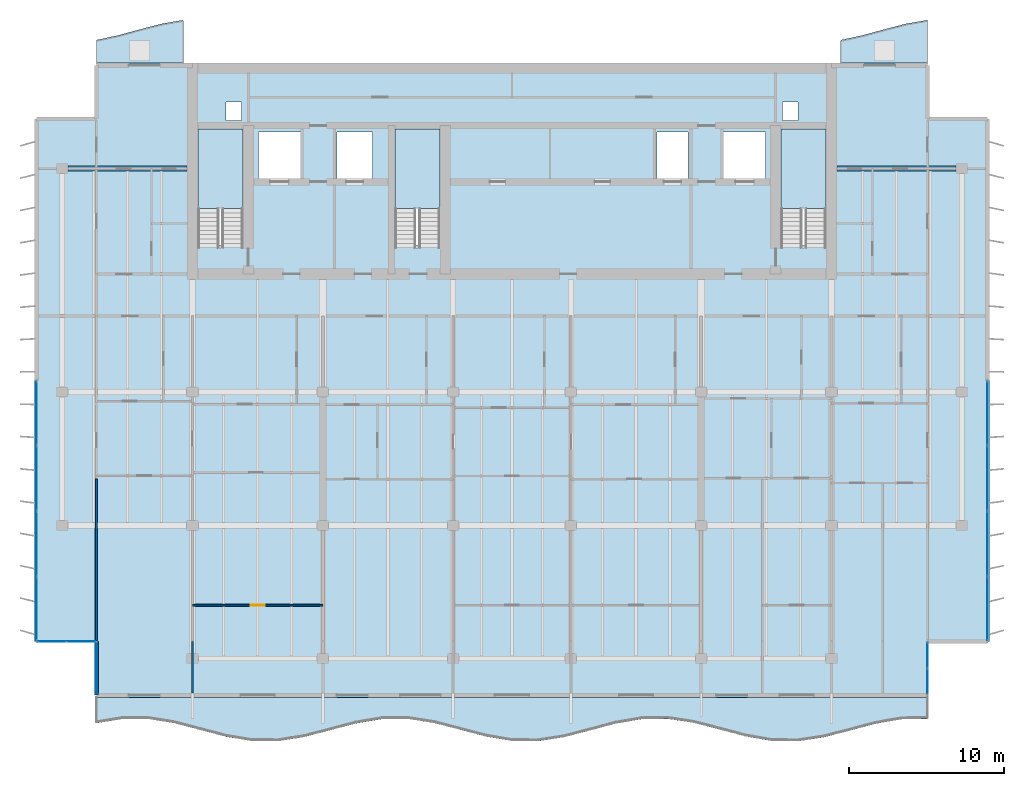
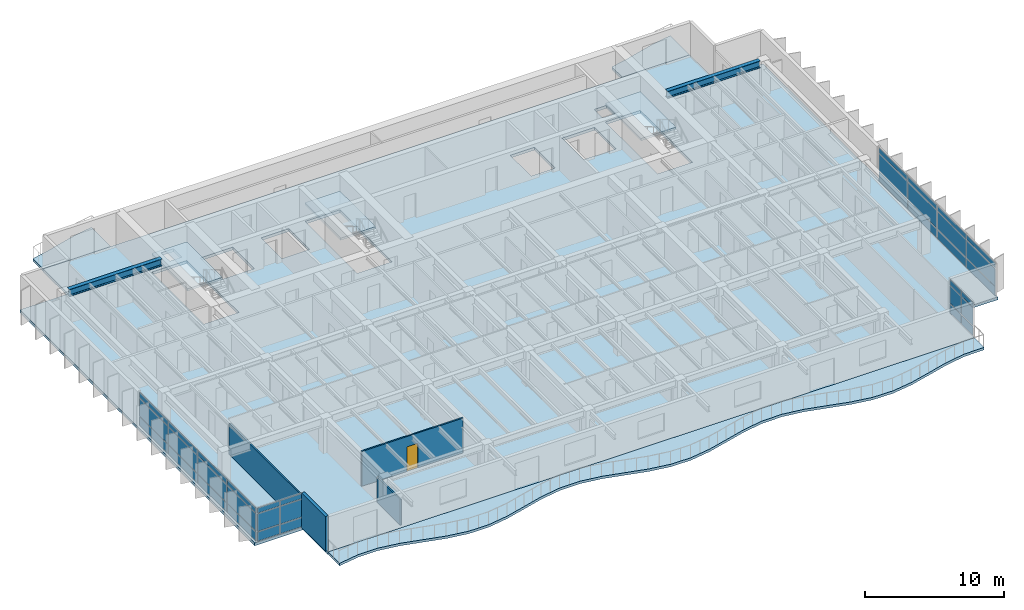
# One storey, part 5 of 17: 36 plates, 7 slabs, 4 walls, 2 beams, 1 door, 1 opening, 7 elements without a shape of their own.
"""IFC4 building model written with IfcOpenShell, lengths in metres."""

from ifc_helpers import new_model, si_unit, direction, frame, frame_2d, origin, origin_2d, place, context, subcontext, project, spatial, polyline, rectangle, i_section, outline, extrude, material, layer, layer_set, material_profile, profile_set, type_object, element, fill, aggregate, save


model = new_model("IFC4")

# Units and contexts
model_context = context("Model", 3, precision=1e-05, world=origin(), true_north=direction((0.0, 1.0)))
body_context = subcontext(model_context, "Body", "Model", "MODEL_VIEW")
ifc_project = project(units=[si_unit("LENGTHUNIT", "METRE"), si_unit("AREAUNIT", "SQUARE_METRE"), si_unit("VOLUMEUNIT", "CUBIC_METRE"), si_unit("PLANEANGLEUNIT", "RADIAN"), si_unit("MASSUNIT", "GRAM", prefix="KILO")], contexts=[model_context])

# Site, building, storey
site_placement = place(None, origin())
site = spatial("IfcSite", under=ifc_project, at=site_placement, CompositionType="ELEMENT")
building_placement = place(site_placement, origin())
building = spatial("IfcBuilding", under=site, at=building_placement, Name="Caelmar Bay Residences", CompositionType="ELEMENT")
storey_placement = place(building_placement, frame((0.0, 0.0, 259.5)))
storey = spatial("IfcBuildingStorey", under=building, at=storey_placement, Name="L73", CompositionType="ELEMENT", Elevation=259.5)

# Beams
ifc_material_1 = material(Name="Steel ASTM A992 Grade 50", Category="steel")
ifc_material_profile = material_profile(ifc_material_1, i_section(OverallWidth=0.324951171875, OverallDepth=0.616943359375, WebThickness=0.013916015625, FlangeThickness=0.021484375, FilletRadius=0.0126953125, at=origin_2d()), Name="W24X117")
ifc_profile_set = profile_set([ifc_material_profile], Name="Steel ASTM A992 Grade 50")
beam_type = type_object("IfcBeamType", Name="BM-SPN-W24X117", PredefinedType="SPANDREL", material=ifc_profile_set)
beam_1_placement = place(storey_placement, frame((10.264892578125, 43.800048828125, 2.741455078125), z_axis=(1.0, 0.0, 0.0), x_axis=(0.0, 1.0, 0.0)))
element("IfcBeam", 1, at=beam_1_placement, inside=storey, type_object=beam_type, Name="L73 North-West Wing Core Tie Girder", PredefinedType="SPANDREL", context=body_context, shape_type="SweptSolid", body=[
    extrude(i_section(OverallWidth=0.324951171875, OverallDepth=0.616943359375, WebThickness=0.013916015625, FlangeThickness=0.021484375, FilletRadius=0.0126953125, at=origin_2d()), origin(), (0.0, 0.0, 1.0), 7.68505859375),
])
beam_2_placement = place(storey_placement, frame((59.85009765625, 43.800048828125, 2.741455078125), z_axis=(1.0, 0.0, 0.0), x_axis=(0.0, 1.0, 0.0)))
element("IfcBeam", 2, at=beam_2_placement, inside=storey, type_object=beam_type, Name="L73 North-East Wing Core Tie Girder", PredefinedType="SPANDREL", context=body_context, shape_type="SweptSolid", body=[
    extrude(i_section(OverallWidth=0.324951171875, OverallDepth=0.616943359375, WebThickness=0.013916015625, FlangeThickness=0.021484375, FilletRadius=0.0126953125, at=origin_2d()), origin(), (0.0, 0.0, 1.0), 7.684814453125),
])

# Curtain wall, plates
ifc_material_2 = material(Name="Anodised bronze aluminium 6063-T6 and laminated glass", Category="aluminium")
ifc_layer_1 = layer(ifc_material_2, 0.179931640625)
ifc_layer_set_1 = layer_set([ifc_layer_1], Name="Anodised bronze aluminium 6063-T6 and laminated glass")
curtain_wall_type_1 = type_object("IfcCurtainWallType", Name="CW6-NTC", PredefinedType="NOTDEFINED", material=ifc_layer_set_1)
curtain_wall_1_placement = place(storey_placement, origin())
curtain_wall_1 = element("IfcCurtainWall", 3, at=curtain_wall_1_placement, inside=storey, type_object=curtain_wall_type_1, Name="CW6 curtain wall L73", PredefinedType="NOTDEFINED")
ifc_material_3 = material(Name="Bronze-tinted laminated low-E hurricane glass 28 mm", Category="glass")
ifc_layer_2 = layer(ifc_material_3, 0.028076171875)
ifc_layer_set_2 = layer_set([ifc_layer_2], Name="Bronze-tinted laminated low-E hurricane glass 28 mm")
plate_type_1 = type_object("IfcPlateType", Name="CWP-GLZ28", PredefinedType="CURTAIN_PANEL", material=ifc_layer_set_2)
plate_1_placement = place(storey_placement, frame((9.232421875, 13.300048828125, 0.080078125), z_axis=(0.0, 0.0, 1.0), x_axis=(1.0, 0.0, 0.0)))
plate_1 = element("IfcPlate", 4, at=plate_1_placement, type_object=plate_type_1, Name="CW6 panel 1.1", PredefinedType="CURTAIN_PANEL", context=body_context, shape_type="SweptSolid", body=[
    extrude(rectangle(XDim=1.804931640625, YDim=0.028076171875, at=origin_2d()), origin(), (0.0, 0.0, 1.0), 0.780029296875),
])
plate_2_placement = place(storey_placement, frame((9.232421875, 13.300048828125, 0.93994140625), z_axis=(0.0, 0.0, 1.0), x_axis=(1.0, 0.0, 0.0)))
plate_2 = element("IfcPlate", 5, at=plate_2_placement, type_object=plate_type_1, Name="CW6 panel 1.2", PredefinedType="CURTAIN_PANEL", context=body_context, shape_type="SweptSolid", body=[
    extrude(rectangle(XDim=1.804931640625, YDim=0.028076171875, at=origin_2d()), origin(), (0.0, 0.0, 1.0), 1.52001953125),
])
plate_3_placement = place(storey_placement, frame((9.232421875, 13.300048828125, 2.5400390625), z_axis=(0.0, 0.0, 1.0), x_axis=(1.0, 0.0, 0.0)))
plate_3 = element("IfcPlate", 6, at=plate_3_placement, type_object=plate_type_1, Name="CW6 panel 1.3", PredefinedType="CURTAIN_PANEL", context=body_context, shape_type="SweptSolid", body=[
    extrude(rectangle(XDim=1.804931640625, YDim=0.028076171875, at=origin_2d()), origin(), (0.0, 0.0, 1.0), 0.429931640625),
])
plate_4_placement = place(storey_placement, frame((11.117431640625, 13.300048828125, 0.080078125), z_axis=(0.0, 0.0, 1.0), x_axis=(1.0, 0.0, 0.0)))
plate_4 = element("IfcPlate", 7, at=plate_4_placement, type_object=plate_type_1, Name="CW6 panel 2.1", PredefinedType="CURTAIN_PANEL", context=body_context, shape_type="SweptSolid", body=[
    extrude(rectangle(XDim=1.804931640625, YDim=0.028076171875, at=origin_2d()), origin(), (0.0, 0.0, 1.0), 0.780029296875),
])
plate_5_placement = place(storey_placement, frame((11.117431640625, 13.300048828125, 0.93994140625), z_axis=(0.0, 0.0, 1.0), x_axis=(1.0, 0.0, 0.0)))
plate_5 = element("IfcPlate", 8, at=plate_5_placement, type_object=plate_type_1, Name="CW6 panel 2.2", PredefinedType="CURTAIN_PANEL", context=body_context, shape_type="SweptSolid", body=[
    extrude(rectangle(XDim=1.804931640625, YDim=0.028076171875, at=origin_2d()), origin(), (0.0, 0.0, 1.0), 1.52001953125),
])
plate_6_placement = place(storey_placement, frame((11.117431640625, 13.300048828125, 2.5400390625), z_axis=(0.0, 0.0, 1.0), x_axis=(1.0, 0.0, 0.0)))
plate_6 = element("IfcPlate", 9, at=plate_6_placement, type_object=plate_type_1, Name="CW6 panel 2.3", PredefinedType="CURTAIN_PANEL", context=body_context, shape_type="SweptSolid", body=[
    extrude(rectangle(XDim=1.804931640625, YDim=0.028076171875, at=origin_2d()), origin(), (0.0, 0.0, 1.0), 0.429931640625),
])
aggregate(curtain_wall_1, [plate_1, plate_2, plate_3, plate_4, plate_5, plate_6])

curtain_wall_2_placement = place(storey_placement, origin())
curtain_wall_2 = element("IfcCurtainWall", 10, at=curtain_wall_2_placement, inside=storey, type_object=curtain_wall_type_1, Name="CW6 curtain wall L73", PredefinedType="NOTDEFINED")
plate_7_placement = place(storey_placement, frame((65.699951171875, 10.732421875, 0.080078125), z_axis=(0.0, 0.0, 1.0), x_axis=(0.0, 1.0, 0.0)))
plate_7 = element("IfcPlate", 11, at=plate_7_placement, type_object=plate_type_1, Name="CW6 panel 1.1", PredefinedType="CURTAIN_PANEL", context=body_context, shape_type="SweptSolid", body=[
    extrude(rectangle(XDim=1.60498046875, YDim=0.028076171875, at=origin_2d()), origin(), (0.0, 0.0, 1.0), 0.780029296875),
])
plate_8_placement = place(storey_placement, frame((65.699951171875, 10.732421875, 0.93994140625), z_axis=(0.0, 0.0, 1.0), x_axis=(0.0, 1.0, 0.0)))
plate_8 = element("IfcPlate", 12, at=plate_8_placement, type_object=plate_type_1, Name="CW6 panel 1.2", PredefinedType="CURTAIN_PANEL", context=body_context, shape_type="SweptSolid", body=[
    extrude(rectangle(XDim=1.60498046875, YDim=0.028076171875, at=origin_2d()), origin(), (0.0, 0.0, 1.0), 1.52001953125),
])
plate_9_placement = place(storey_placement, frame((65.699951171875, 10.732421875, 2.5400390625), z_axis=(0.0, 0.0, 1.0), x_axis=(0.0, 1.0, 0.0)))
plate_9 = element("IfcPlate", 13, at=plate_9_placement, type_object=plate_type_1, Name="CW6 panel 1.3", PredefinedType="CURTAIN_PANEL", context=body_context, shape_type="SweptSolid", body=[
    extrude(rectangle(XDim=1.60498046875, YDim=0.028076171875, at=origin_2d()), origin(), (0.0, 0.0, 1.0), 0.429931640625),
])
plate_10_placement = place(storey_placement, frame((65.699951171875, 12.41748046875, 0.080078125), z_axis=(0.0, 0.0, 1.0), x_axis=(0.0, 1.0, 0.0)))
plate_10 = element("IfcPlate", 14, at=plate_10_placement, type_object=plate_type_1, Name="CW6 panel 2.1", PredefinedType="CURTAIN_PANEL", context=body_context, shape_type="SweptSolid", body=[
    extrude(rectangle(XDim=1.60498046875, YDim=0.028076171875, at=origin_2d()), origin(), (0.0, 0.0, 1.0), 0.780029296875),
])
plate_11_placement = place(storey_placement, frame((65.699951171875, 12.41748046875, 0.93994140625), z_axis=(0.0, 0.0, 1.0), x_axis=(0.0, 1.0, 0.0)))
plate_11 = element("IfcPlate", 15, at=plate_11_placement, type_object=plate_type_1, Name="CW6 panel 2.2", PredefinedType="CURTAIN_PANEL", context=body_context, shape_type="SweptSolid", body=[
    extrude(rectangle(XDim=1.60498046875, YDim=0.028076171875, at=origin_2d()), origin(), (0.0, 0.0, 1.0), 1.52001953125),
])
plate_12_placement = place(storey_placement, frame((65.699951171875, 12.41748046875, 2.5400390625), z_axis=(0.0, 0.0, 1.0), x_axis=(0.0, 1.0, 0.0)))
plate_12 = element("IfcPlate", 16, at=plate_12_placement, type_object=plate_type_1, Name="CW6 panel 2.3", PredefinedType="CURTAIN_PANEL", context=body_context, shape_type="SweptSolid", body=[
    extrude(rectangle(XDim=1.60498046875, YDim=0.028076171875, at=origin_2d()), origin(), (0.0, 0.0, 1.0), 0.429931640625),
])
aggregate(curtain_wall_2, [plate_7, plate_8, plate_9, plate_10, plate_11, plate_12])

ifc_layer_3 = layer(ifc_material_2, 0.179931640625)
ifc_layer_set_3 = layer_set([ifc_layer_3], Name="Anodised bronze aluminium 6063-T6 and laminated glass")
curtain_wall_type_2 = type_object("IfcCurtainWallType", Name="CW5-Z4", PredefinedType="NOTDEFINED", material=ifc_layer_set_3)
curtain_wall_3_placement = place(storey_placement, origin())
curtain_wall_3 = element("IfcCurtainWall", 17, at=curtain_wall_3_placement, inside=storey, type_object=curtain_wall_type_2, Name="CW5 curtain wall L73", PredefinedType="NOTDEFINED")
ifc_material_4 = material(Name="Bronze-tinted laminated low-E hurricane glass 32 mm", Category="glass")
ifc_layer_4 = layer(ifc_material_4, 0.031982421875)
ifc_layer_set_4 = layer_set([ifc_layer_4], Name="Bronze-tinted laminated low-E hurricane glass 32 mm")
plate_type_2 = type_object("IfcPlateType", Name="CWP-GLZ32", PredefinedType="CURTAIN_PANEL", material=ifc_layer_set_4)
plate_13_placement = place(storey_placement, frame((8.25, 15.42626953125, 0.080078125), z_axis=(0.0, 0.0, 1.0), x_axis=(0.0, 1.0, 0.0)))
plate_13 = element("IfcPlate", 18, at=plate_13_placement, type_object=plate_type_2, Name="CW5 panel 1.1", PredefinedType="CURTAIN_PANEL", context=body_context, shape_type="SweptSolid", body=[
    extrude(rectangle(XDim=4.092529296875, YDim=0.031982421875, at=origin_2d()), origin(), (0.0, 0.0, 1.0), 0.780029296875),
])
plate_14_placement = place(storey_placement, frame((8.25, 15.42626953125, 0.93994140625), z_axis=(0.0, 0.0, 1.0), x_axis=(0.0, 1.0, 0.0)))
plate_14 = element("IfcPlate", 19, at=plate_14_placement, type_object=plate_type_2, Name="CW5 panel 1.2", PredefinedType="CURTAIN_PANEL", context=body_context, shape_type="SweptSolid", body=[
    extrude(rectangle(XDim=4.092529296875, YDim=0.031982421875, at=origin_2d()), origin(), (0.0, 0.0, 1.0), 1.52001953125),
])
plate_15_placement = place(storey_placement, frame((8.25, 15.42626953125, 2.5400390625), z_axis=(0.0, 0.0, 1.0), x_axis=(0.0, 1.0, 0.0)))
plate_15 = element("IfcPlate", 20, at=plate_15_placement, type_object=plate_type_2, Name="CW5 panel 1.3", PredefinedType="CURTAIN_PANEL", context=body_context, shape_type="SweptSolid", body=[
    extrude(rectangle(XDim=4.092529296875, YDim=0.031982421875, at=origin_2d()), origin(), (0.0, 0.0, 1.0), 0.429931640625),
])
plate_16_placement = place(storey_placement, frame((8.25, 19.61865234375, 0.080078125), z_axis=(0.0, 0.0, 1.0), x_axis=(0.0, 1.0, 0.0)))
plate_16 = element("IfcPlate", 21, at=plate_16_placement, type_object=plate_type_2, Name="CW5 panel 2.1", PredefinedType="CURTAIN_PANEL", context=body_context, shape_type="SweptSolid", body=[
    extrude(rectangle(XDim=4.132568359375, YDim=0.031982421875, at=origin_2d()), origin(), (0.0, 0.0, 1.0), 0.780029296875),
])
plate_17_placement = place(storey_placement, frame((8.25, 19.61865234375, 0.93994140625), z_axis=(0.0, 0.0, 1.0), x_axis=(0.0, 1.0, 0.0)))
plate_17 = element("IfcPlate", 22, at=plate_17_placement, type_object=plate_type_2, Name="CW5 panel 2.2", PredefinedType="CURTAIN_PANEL", context=body_context, shape_type="SweptSolid", body=[
    extrude(rectangle(XDim=4.132568359375, YDim=0.031982421875, at=origin_2d()), origin(), (0.0, 0.0, 1.0), 1.52001953125),
])
plate_18_placement = place(storey_placement, frame((8.25, 19.61865234375, 2.5400390625), z_axis=(0.0, 0.0, 1.0), x_axis=(0.0, 1.0, 0.0)))
plate_18 = element("IfcPlate", 23, at=plate_18_placement, type_object=plate_type_2, Name="CW5 panel 2.3", PredefinedType="CURTAIN_PANEL", context=body_context, shape_type="SweptSolid", body=[
    extrude(rectangle(XDim=4.132568359375, YDim=0.031982421875, at=origin_2d()), origin(), (0.0, 0.0, 1.0), 0.429931640625),
])
plate_19_placement = place(storey_placement, frame((8.25, 23.831298828125, 0.080078125), z_axis=(0.0, 0.0, 1.0), x_axis=(0.0, 1.0, 0.0)))
plate_19 = element("IfcPlate", 24, at=plate_19_placement, type_object=plate_type_2, Name="CW5 panel 3.1", PredefinedType="CURTAIN_PANEL", context=body_context, shape_type="SweptSolid", body=[
    extrude(rectangle(XDim=4.132568359375, YDim=0.031982421875, at=origin_2d()), origin(), (0.0, 0.0, 1.0), 0.780029296875),
])
plate_20_placement = place(storey_placement, frame((8.25, 23.831298828125, 0.93994140625), z_axis=(0.0, 0.0, 1.0), x_axis=(0.0, 1.0, 0.0)))
plate_20 = element("IfcPlate", 25, at=plate_20_placement, type_object=plate_type_2, Name="CW5 panel 3.2", PredefinedType="CURTAIN_PANEL", context=body_context, shape_type="SweptSolid", body=[
    extrude(rectangle(XDim=4.132568359375, YDim=0.031982421875, at=origin_2d()), origin(), (0.0, 0.0, 1.0), 1.52001953125),
])
plate_21_placement = place(storey_placement, frame((8.25, 23.831298828125, 2.5400390625), z_axis=(0.0, 0.0, 1.0), x_axis=(0.0, 1.0, 0.0)))
plate_21 = element("IfcPlate", 26, at=plate_21_placement, type_object=plate_type_2, Name="CW5 panel 3.3", PredefinedType="CURTAIN_PANEL", context=body_context, shape_type="SweptSolid", body=[
    extrude(rectangle(XDim=4.132568359375, YDim=0.031982421875, at=origin_2d()), origin(), (0.0, 0.0, 1.0), 0.429931640625),
])
plate_22_placement = place(storey_placement, frame((8.25, 28.023681640625, 0.080078125), z_axis=(0.0, 0.0, 1.0), x_axis=(0.0, 1.0, 0.0)))
plate_22 = element("IfcPlate", 27, at=plate_22_placement, type_object=plate_type_2, Name="CW5 panel 4.1", PredefinedType="CURTAIN_PANEL", context=body_context, shape_type="SweptSolid", body=[
    extrude(rectangle(XDim=4.092529296875, YDim=0.031982421875, at=origin_2d()), origin(), (0.0, 0.0, 1.0), 0.780029296875),
])
plate_23_placement = place(storey_placement, frame((8.25, 28.023681640625, 0.93994140625), z_axis=(0.0, 0.0, 1.0), x_axis=(0.0, 1.0, 0.0)))
plate_23 = element("IfcPlate", 28, at=plate_23_placement, type_object=plate_type_2, Name="CW5 panel 4.2", PredefinedType="CURTAIN_PANEL", context=body_context, shape_type="SweptSolid", body=[
    extrude(rectangle(XDim=4.092529296875, YDim=0.031982421875, at=origin_2d()), origin(), (0.0, 0.0, 1.0), 1.52001953125),
])
plate_24_placement = place(storey_placement, frame((8.25, 28.023681640625, 2.5400390625), z_axis=(0.0, 0.0, 1.0), x_axis=(0.0, 1.0, 0.0)))
plate_24 = element("IfcPlate", 29, at=plate_24_placement, type_object=plate_type_2, Name="CW5 panel 4.3", PredefinedType="CURTAIN_PANEL", context=body_context, shape_type="SweptSolid", body=[
    extrude(rectangle(XDim=4.092529296875, YDim=0.031982421875, at=origin_2d()), origin(), (0.0, 0.0, 1.0), 0.429931640625),
])
aggregate(curtain_wall_3, [plate_13, plate_14, plate_15, plate_16, plate_17, plate_18, plate_19, plate_20, plate_21, plate_22, plate_23, plate_24])

curtain_wall_4_placement = place(storey_placement, origin())
curtain_wall_4 = element("IfcCurtainWall", 30, at=curtain_wall_4_placement, inside=storey, type_object=curtain_wall_type_2, Name="CW5 curtain wall L73", PredefinedType="NOTDEFINED")
plate_25_placement = place(storey_placement, frame((69.550048828125, 28.023681640625, 0.080078125), z_axis=(0.0, 0.0, 1.0), x_axis=(0.0, -1.0, 0.0)))
plate_25 = element("IfcPlate", 31, at=plate_25_placement, type_object=plate_type_2, Name="CW5 panel 1.1", PredefinedType="CURTAIN_PANEL", context=body_context, shape_type="SweptSolid", body=[
    extrude(rectangle(XDim=4.092529296875, YDim=0.031982421875, at=origin_2d()), origin(), (0.0, 0.0, 1.0), 0.780029296875),
])
plate_26_placement = place(storey_placement, frame((69.550048828125, 28.023681640625, 0.93994140625), z_axis=(0.0, 0.0, 1.0), x_axis=(0.0, -1.0, 0.0)))
plate_26 = element("IfcPlate", 32, at=plate_26_placement, type_object=plate_type_2, Name="CW5 panel 1.2", PredefinedType="CURTAIN_PANEL", context=body_context, shape_type="SweptSolid", body=[
    extrude(rectangle(XDim=4.092529296875, YDim=0.031982421875, at=origin_2d()), origin(), (0.0, 0.0, 1.0), 1.52001953125),
])
plate_27_placement = place(storey_placement, frame((69.550048828125, 28.023681640625, 2.5400390625), z_axis=(0.0, 0.0, 1.0), x_axis=(0.0, -1.0, 0.0)))
plate_27 = element("IfcPlate", 33, at=plate_27_placement, type_object=plate_type_2, Name="CW5 panel 1.3", PredefinedType="CURTAIN_PANEL", context=body_context, shape_type="SweptSolid", body=[
    extrude(rectangle(XDim=4.092529296875, YDim=0.031982421875, at=origin_2d()), origin(), (0.0, 0.0, 1.0), 0.429931640625),
])
plate_28_placement = place(storey_placement, frame((69.550048828125, 23.831298828125, 0.080078125), z_axis=(0.0, 0.0, 1.0), x_axis=(0.0, -1.0, 0.0)))
plate_28 = element("IfcPlate", 34, at=plate_28_placement, type_object=plate_type_2, Name="CW5 panel 2.1", PredefinedType="CURTAIN_PANEL", context=body_context, shape_type="SweptSolid", body=[
    extrude(rectangle(XDim=4.132568359375, YDim=0.031982421875, at=origin_2d()), origin(), (0.0, 0.0, 1.0), 0.780029296875),
])
plate_29_placement = place(storey_placement, frame((69.550048828125, 23.831298828125, 0.93994140625), z_axis=(0.0, 0.0, 1.0), x_axis=(0.0, -1.0, 0.0)))
plate_29 = element("IfcPlate", 35, at=plate_29_placement, type_object=plate_type_2, Name="CW5 panel 2.2", PredefinedType="CURTAIN_PANEL", context=body_context, shape_type="SweptSolid", body=[
    extrude(rectangle(XDim=4.132568359375, YDim=0.031982421875, at=origin_2d()), origin(), (0.0, 0.0, 1.0), 1.52001953125),
])
plate_30_placement = place(storey_placement, frame((69.550048828125, 23.831298828125, 2.5400390625), z_axis=(0.0, 0.0, 1.0), x_axis=(0.0, -1.0, 0.0)))
plate_30 = element("IfcPlate", 36, at=plate_30_placement, type_object=plate_type_2, Name="CW5 panel 2.3", PredefinedType="CURTAIN_PANEL", context=body_context, shape_type="SweptSolid", body=[
    extrude(rectangle(XDim=4.132568359375, YDim=0.031982421875, at=origin_2d()), origin(), (0.0, 0.0, 1.0), 0.429931640625),
])
plate_31_placement = place(storey_placement, frame((69.550048828125, 19.61865234375, 0.080078125), z_axis=(0.0, 0.0, 1.0), x_axis=(0.0, -1.0, 0.0)))
plate_31 = element("IfcPlate", 37, at=plate_31_placement, type_object=plate_type_2, Name="CW5 panel 3.1", PredefinedType="CURTAIN_PANEL", context=body_context, shape_type="SweptSolid", body=[
    extrude(rectangle(XDim=4.132568359375, YDim=0.031982421875, at=origin_2d()), origin(), (0.0, 0.0, 1.0), 0.780029296875),
])
plate_32_placement = place(storey_placement, frame((69.550048828125, 19.61865234375, 0.93994140625), z_axis=(0.0, 0.0, 1.0), x_axis=(0.0, -1.0, 0.0)))
plate_32 = element("IfcPlate", 38, at=plate_32_placement, type_object=plate_type_2, Name="CW5 panel 3.2", PredefinedType="CURTAIN_PANEL", context=body_context, shape_type="SweptSolid", body=[
    extrude(rectangle(XDim=4.132568359375, YDim=0.031982421875, at=origin_2d()), origin(), (0.0, 0.0, 1.0), 1.52001953125),
])
plate_33_placement = place(storey_placement, frame((69.550048828125, 19.61865234375, 2.5400390625), z_axis=(0.0, 0.0, 1.0), x_axis=(0.0, -1.0, 0.0)))
plate_33 = element("IfcPlate", 39, at=plate_33_placement, type_object=plate_type_2, Name="CW5 panel 3.3", PredefinedType="CURTAIN_PANEL", context=body_context, shape_type="SweptSolid", body=[
    extrude(rectangle(XDim=4.132568359375, YDim=0.031982421875, at=origin_2d()), origin(), (0.0, 0.0, 1.0), 0.429931640625),
])
plate_34_placement = place(storey_placement, frame((69.550048828125, 15.42626953125, 0.080078125), z_axis=(0.0, 0.0, 1.0), x_axis=(0.0, -1.0, 0.0)))
plate_34 = element("IfcPlate", 40, at=plate_34_placement, type_object=plate_type_2, Name="CW5 panel 4.1", PredefinedType="CURTAIN_PANEL", context=body_context, shape_type="SweptSolid", body=[
    extrude(rectangle(XDim=4.092529296875, YDim=0.031982421875, at=origin_2d()), origin(), (0.0, 0.0, 1.0), 0.780029296875),
])
plate_35_placement = place(storey_placement, frame((69.550048828125, 15.42626953125, 0.93994140625), z_axis=(0.0, 0.0, 1.0), x_axis=(0.0, -1.0, 0.0)))
plate_35 = element("IfcPlate", 41, at=plate_35_placement, type_object=plate_type_2, Name="CW5 panel 4.2", PredefinedType="CURTAIN_PANEL", context=body_context, shape_type="SweptSolid", body=[
    extrude(rectangle(XDim=4.092529296875, YDim=0.031982421875, at=origin_2d()), origin(), (0.0, 0.0, 1.0), 1.52001953125),
])
plate_36_placement = place(storey_placement, frame((69.550048828125, 15.42626953125, 2.5400390625), z_axis=(0.0, 0.0, 1.0), x_axis=(0.0, -1.0, 0.0)))
plate_36 = element("IfcPlate", 42, at=plate_36_placement, type_object=plate_type_2, Name="CW5 panel 4.3", PredefinedType="CURTAIN_PANEL", context=body_context, shape_type="SweptSolid", body=[
    extrude(rectangle(XDim=4.092529296875, YDim=0.031982421875, at=origin_2d()), origin(), (0.0, 0.0, 1.0), 0.429931640625),
])
aggregate(curtain_wall_4, [plate_25, plate_26, plate_27, plate_28, plate_29, plate_30, plate_31, plate_32, plate_33, plate_34, plate_35, plate_36])

# Slabs
ifc_material_5 = material(Name="Concrete f'c 40 MPa (6,000 psi)", Category="concrete")
ifc_layer_5 = layer(ifc_material_5, 0.219970703125)
ifc_layer_set_5 = layer_set([ifc_layer_5], Name="Concrete f'c 40 MPa (6,000 psi)")
slab_type_1 = type_object("IfcSlabType", Name="SLB-BAL-220", PredefinedType="FLOOR", material=ifc_layer_set_5)
slab_1_placement = place(storey_placement, frame((0.0, 0.0, -0.219970703125)))
element("IfcSlab", 43, at=slab_1_placement, inside=storey, type_object=slab_type_1, Name="L73 Sinusoidal Tree-Balcony Slab south", PredefinedType="FLOOR", context=body_context, shape_type="SweptSolid", body=[
    extrude(outline(polyline([(12.10009765625, 8.040771484375), (13.77490234375, 8.31298828125), (15.449951171875, 8.314208984375), (17.125, 8.044189453125), (18.800048828125, 7.605712890625), (20.47509765625, 7.164794921875), (22.14990234375, 6.889404296875), (23.824951171875, 6.8837890625), (25.5, 7.150146484375), (27.175048828125, 7.58740234375), (28.85009765625, 8.029296875), (30.52490234375, 8.308349609375), (32.199951171875, 8.318359375), (33.875, 8.055419921875), (35.550048828125, 7.61962890625), (37.22509765625, 7.176513671875), (38.89990234375, 6.89404296875), (40.574951171875, 6.879638671875), (42.25, 7.138916015625), (43.925048828125, 7.573486328125), (45.60009765625, 8.017822265625), (47.27490234375, 8.3037109375), (48.949951171875, 8.322265625), (50.625, 8.06640625), (52.300048828125, 7.633544921875), (53.97509765625, 7.18798828125), (55.64990234375, 6.898681640625), (57.324951171875, 6.8759765625), (59.0, 7.1279296875), (60.675048828125, 7.559326171875), (62.35009765625, 8.006103515625), (64.02490234375, 8.298583984375), (65.699951171875, 8.325927734375), (65.699951171875, 9.699951171875), (12.10009765625, 9.699951171875), (12.10009765625, 8.040771484375)])), origin(), (0.0, 0.0, 1.0), 0.219970703125),
])
slab_2_placement = place(storey_placement, frame((0.0, 0.0, -0.219970703125)))
element("IfcSlab", 44, at=slab_2_placement, inside=storey, type_object=slab_type_1, Name="L73 Sinusoidal Tree-Balcony Slab north_west", PredefinedType="FLOOR", context=body_context, shape_type="SweptSolid", body=[
    extrude(outline(polyline([(12.10009765625, 50.60009765625), (17.699951171875, 50.60009765625), (17.699951171875, 53.38525390625), (16.300048828125, 53.140869140625), (14.89990234375, 52.7783203125), (13.5, 52.39501953125), (12.10009765625, 52.09326171875), (12.10009765625, 50.60009765625)])), origin(), (0.0, 0.0, 1.0), 0.219970703125),
])
slab_3_placement = place(storey_placement, frame((0.0, 0.0, -0.219970703125)))
element("IfcSlab", 45, at=slab_3_placement, inside=storey, type_object=slab_type_1, Name="L73 Sinusoidal Tree-Balcony Slab north_east", PredefinedType="FLOOR", context=body_context, shape_type="SweptSolid", body=[
    extrude(outline(polyline([(60.10009765625, 50.60009765625), (65.699951171875, 50.60009765625), (65.699951171875, 53.38525390625), (64.300048828125, 53.140869140625), (62.89990234375, 52.7783203125), (61.5, 52.39501953125), (60.10009765625, 52.09326171875), (60.10009765625, 50.60009765625)])), origin(), (0.0, 0.0, 1.0), 0.219970703125),
])

# Stair, slab
stair_type = type_object("IfcStairType", Name="ST-TYP-165", PredefinedType="HALF_TURN_STAIR", material=ifc_material_5)
stair_1_placement = place(storey_placement, origin())
stair_1 = element("IfcStair", 46, at=stair_1_placement, inside=storey, type_object=stair_type, Name="L73 West Smokeproof Exit Stair ST1", PredefinedType="HALF_TURN_STAIR")
ifc_layer_6 = layer(ifc_material_5, 0.199951171875)
ifc_layer_set_6 = layer_set([ifc_layer_6], Name="Concrete f'c 40 MPa (6,000 psi)")
slab_type_2 = type_object("IfcSlabType", Name="SLB-LND-200", PredefinedType="LANDING", material=ifc_layer_set_6)
slab_4_placement = place(storey_placement, frame((0.0, 0.0, 1.449951171875)))
slab_4 = element("IfcSlab", 47, at=slab_4_placement, type_object=slab_type_2, Name="ST1 landing 1", PredefinedType="LANDING", context=body_context, shape_type="SweptSolid", body=[
    extrude(outline(polyline([(21.550048828125, 41.219970703125), (21.550048828125, 46.35009765625), (18.64990234375, 46.35009765625), (18.64990234375, 41.219970703125), (21.550048828125, 41.219970703125)])), origin(), (0.0, 0.0, 1.0), 0.199951171875),
])
aggregate(stair_1, [slab_4])

stair_2_placement = place(storey_placement, origin())
stair_2 = element("IfcStair", 48, at=stair_2_placement, inside=storey, type_object=stair_type, Name="L73 East Smokeproof Exit Stair ST2", PredefinedType="HALF_TURN_STAIR")
slab_5_placement = place(storey_placement, frame((0.0, 0.0, 1.449951171875)))
slab_5 = element("IfcSlab", 49, at=slab_5_placement, type_object=slab_type_2, Name="ST2 landing 1", PredefinedType="LANDING", context=body_context, shape_type="SweptSolid", body=[
    extrude(outline(polyline([(59.14990234375, 41.219970703125), (59.14990234375, 46.35009765625), (56.25, 46.35009765625), (56.25, 41.219970703125), (59.14990234375, 41.219970703125)])), origin(), (0.0, 0.0, 1.0), 0.199951171875),
])
aggregate(stair_2, [slab_5])

stair_3_placement = place(storey_placement, origin())
stair_3 = element("IfcStair", 50, at=stair_3_placement, inside=storey, type_object=stair_type, Name="L73 Central Smokeproof Exit Stair ST3", PredefinedType="HALF_TURN_STAIR")
slab_6_placement = place(storey_placement, frame((0.0, 0.0, 1.449951171875)))
slab_6 = element("IfcSlab", 51, at=slab_6_placement, type_object=slab_type_2, Name="ST3 landing 1", PredefinedType="LANDING", context=body_context, shape_type="SweptSolid", body=[
    extrude(outline(polyline([(34.25, 41.219970703125), (34.25, 46.35009765625), (31.35009765625, 46.35009765625), (31.35009765625, 41.219970703125), (34.25, 41.219970703125)])), origin(), (0.0, 0.0, 1.0), 0.199951171875),
])
aggregate(stair_3, [slab_6])

# Slab
ifc_layer_7 = layer(ifc_material_5, 0.25)
ifc_layer_set_7 = layer_set([ifc_layer_7], Name="Concrete f'c 40 MPa (6,000 psi)")
slab_type_3 = type_object("IfcSlabType", Name="SLB-RES-250", PredefinedType="FLOOR", material=ifc_layer_set_7)
slab_7_placement = place(storey_placement, frame((0.0, 0.0, -0.25)))
element("IfcSlab", 52, at=slab_7_placement, inside=storey, type_object=slab_type_3, Name="L73 Structural Floor Slab", PredefinedType="FLOOR", context=body_context, shape_type="SweptSolid", body=[
    extrude(outline(polyline([(12.10009765625, 9.699951171875), (65.699951171875, 9.699951171875), (65.699951171875, 13.300048828125), (69.699951171875, 13.300048828125), (69.699951171875, 47.0), (65.699951171875, 47.0), (65.699951171875, 50.60009765625), (12.10009765625, 50.60009765625), (12.10009765625, 47.0), (8.10009765625, 47.0), (8.10009765625, 13.300048828125), (12.10009765625, 13.300048828125), (12.10009765625, 9.699951171875)]), holes=[polyline([(18.64990234375, 38.85009765625), (21.550048828125, 38.85009765625), (21.550048828125, 46.35009765625), (18.64990234375, 46.35009765625), (18.64990234375, 38.85009765625)]), polyline([(56.25, 38.85009765625), (59.14990234375, 38.85009765625), (59.14990234375, 46.35009765625), (56.25, 46.35009765625), (56.25, 38.85009765625)]), polyline([(31.35009765625, 38.85009765625), (34.25, 38.85009765625), (34.25, 46.35009765625), (31.35009765625, 46.35009765625), (31.35009765625, 38.85009765625)]), polyline([(22.550048828125, 43.050048828125), (25.25, 43.050048828125), (25.25, 46.14990234375), (22.550048828125, 46.14990234375), (22.550048828125, 43.050048828125)]), polyline([(52.550048828125, 43.050048828125), (55.25, 43.050048828125), (55.25, 46.14990234375), (52.550048828125, 46.14990234375), (52.550048828125, 43.050048828125)]), polyline([(48.25, 43.14990234375), (50.25, 43.14990234375), (50.25, 46.14990234375), (48.25, 46.14990234375), (48.25, 43.14990234375)]), polyline([(27.60009765625, 43.14990234375), (29.89990234375, 43.14990234375), (29.89990234375, 46.14990234375), (27.60009765625, 46.14990234375), (27.60009765625, 43.14990234375)]), polyline([(20.449951171875, 46.89990234375), (21.449951171875, 46.89990234375), (21.449951171875, 48.10009765625), (20.449951171875, 48.10009765625), (20.449951171875, 46.89990234375)]), polyline([(56.35009765625, 46.89990234375), (57.35009765625, 46.89990234375), (57.35009765625, 48.10009765625), (56.35009765625, 48.10009765625), (56.35009765625, 46.89990234375)])]), origin(), (0.0, 0.0, 1.0), 0.25),
])

# Walls
ifc_material_6 = material(Name="Precast concrete f'c 40 MPa (6,000 psi)", Category="concrete")
ifc_layer_8 = layer(ifc_material_6, 0.25)
ifc_layer_set_8 = layer_set([ifc_layer_8], Name="Precast concrete f'c 40 MPa (6,000 psi)")
wall_type_1 = type_object("IfcWallType", Name="W-EXT-250", PredefinedType="ELEMENTEDWALL", material=ifc_layer_set_8)
wall_1_placement = place(storey_placement, frame((12.10009765625, 13.300048828125, 0.0), z_axis=(0.0, 0.0, 1.0), x_axis=(0.0, -1.0, 0.0)))
element("IfcWall", 53, at=wall_1_placement, inside=storey, type_object=wall_type_1, Name="L73 SW Notch Return Wall", PredefinedType="ELEMENTEDWALL", context=body_context, shape_type="SweptSolid", body=[
    extrude(rectangle(XDim=3.449951171875, YDim=0.25, at=frame_2d((1.72509765625, 0.0))), origin(), (0.0, 0.0, 1.0), 3.050048828125),
])
ifc_material_7 = material(Name="Acoustic metal-stud gypsum partition 120 mm")
ifc_layer_9 = layer(ifc_material_7, 0.1201171875)
ifc_layer_set_9 = layer_set([ifc_layer_9], Name="Acoustic metal-stud gypsum partition 120 mm")
wall_type_2 = type_object("IfcWallType", Name="W-PRT-120", PredefinedType="PARTITIONING", material=ifc_layer_set_9)
wall_2_placement = place(storey_placement, frame((12.10009765625, 13.385009765625, 0.0), z_axis=(0.0, 0.0, 1.0), x_axis=(0.0, 1.0, 0.0)))
element("IfcWall", 54, at=wall_2_placement, inside=storey, type_object=wall_type_2, Name="L73 Partition Wall V001", PredefinedType="PARTITIONING", context=body_context, shape_type="SweptSolid", body=[
    extrude(rectangle(XDim=10.39501953125, YDim=0.1201171875, at=frame_2d((5.197509765625, 0.0))), origin(), (0.0, 0.0, 1.0), 2.72509765625),
])
wall_3_placement = place(storey_placement, frame((18.300048828125, 9.9951171875, 0.0), z_axis=(0.0, 0.0, 1.0), x_axis=(0.0, 1.0, 0.0)))
element("IfcWall", 55, at=wall_3_placement, inside=storey, type_object=wall_type_2, Name="L73 Partition Wall V009", PredefinedType="PARTITIONING", context=body_context, shape_type="SweptSolid", body=[
    extrude(rectangle(XDim=3.304931640625, YDim=0.1201171875, at=frame_2d((1.65234375, 0.0))), origin(), (0.0, 0.0, 1.0), 2.262939453125),
])

# Wall, opening, door
wall_4_placement = place(storey_placement, frame((18.300048828125, 15.64990234375, 0.0), z_axis=(0.0, 0.0, 1.0), x_axis=(1.0, 0.0, 0.0)))
wall_4 = element("IfcWall", 56, at=wall_4_placement, inside=storey, type_object=wall_type_2, Name="L73 Partition Wall H069", PredefinedType="PARTITIONING", context=body_context, shape_type="SweptSolid", body=[
    extrude(rectangle(XDim=8.39990234375, YDim=0.1201171875, at=frame_2d((4.199951171875, 0.0))), origin(), (0.0, 0.0, 1.0), 3.050048828125),
])
opening_placement = place(wall_4_placement, frame((3.75, 0.0, 0.0)))
opening = element("IfcOpeningElement", 57, at=opening_placement, cuts=wall_4, Name="Opening D-L73-128", PredefinedType="OPENING", context=body_context, shape_type="SweptSolid", body=[
    extrude(rectangle(XDim=0.89990234375, YDim=2.14990234375, at=frame_2d((0.449951171875, 1.074951171875))), frame((0.0, 0.070068359375, 0.0), z_axis=(0.0, -1.0, 0.0), x_axis=(1.0, 0.0, 0.0)), (0.0, 0.0, 1.0), 0.14013671875),
])
ifc_material_8 = material(Name="Solid walnut timber interior door leaf and frame", Category="wood")
ifc_layer_10 = layer(ifc_material_8, 0.050048828125)
ifc_layer_set_10 = layer_set([ifc_layer_10], Name="Solid walnut timber interior door leaf and frame")
door_type = type_object("IfcDoorType", Name="D-ROOM-900", OperationType="NOTDEFINED", PredefinedType="DOOR", material=ifc_layer_set_10)
door_placement = place(opening_placement, origin())
door = element("IfcDoor", 58, at=door_placement, inside=storey, type_object=door_type, Name="L73 Residence 01 Primary Bedroom 1 Door", OperationType="SINGLE_SWING_LEFT", OverallHeight=2.14990234375, OverallWidth=0.89990234375, PredefinedType="DOOR", context=body_context, shape_type="SweptSolid", body=[
    extrude(rectangle(XDim=0.89990234375, YDim=2.14990234375, at=frame_2d((0.449951171875, 1.074951171875))), frame((0.0, 0.02490234375, 0.0), z_axis=(0.0, -1.0, 0.0), x_axis=(1.0, 0.0, 0.0)), (0.0, 0.0, 1.0), 0.050048828125),
])
fill(opening, door)

save(model, "model.ifc")
